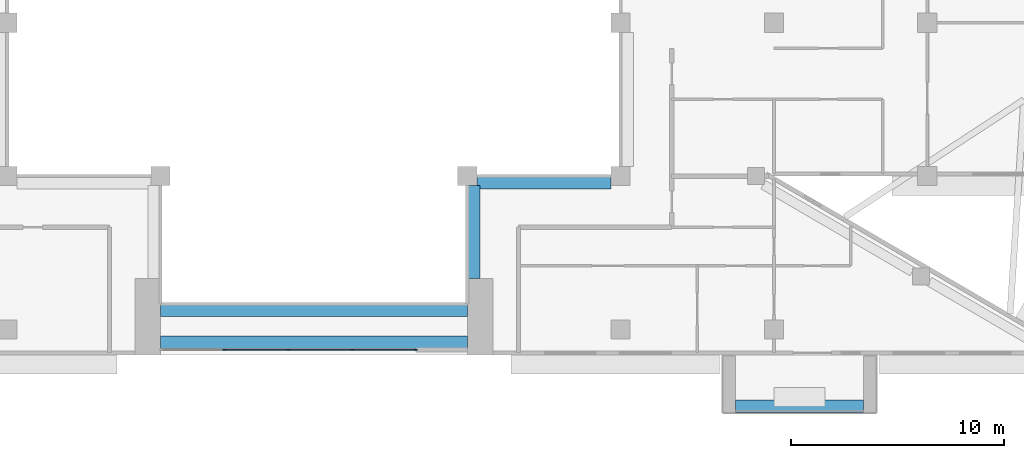
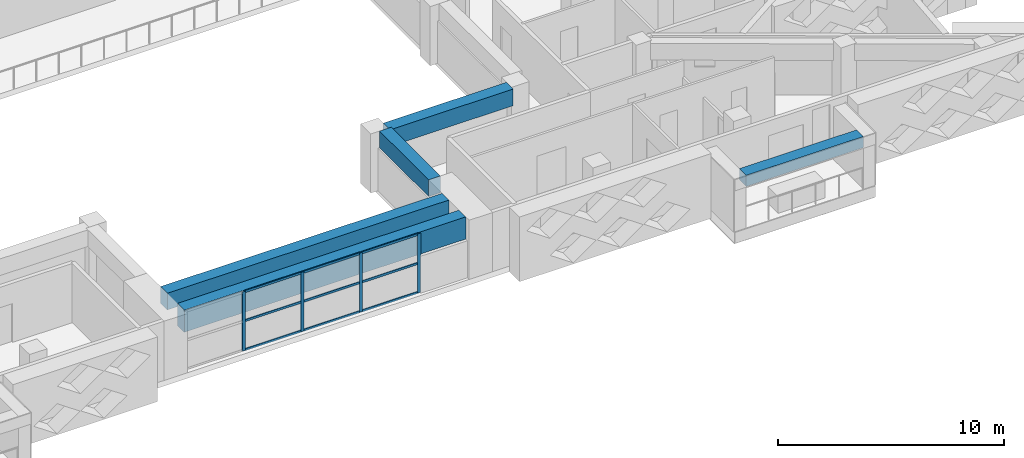
# One storey, part 4 of 20: 13 members, 5 beams, 1 element without a shape of its own.
"""IFC4 building model written with IfcOpenShell, lengths in metres."""

from ifc_helpers import new_model, si_unit, direction, frame, origin, origin_2d, place, context, subcontext, project, spatial, rectangle, extrude, source, transform, mapped, material, layer, layer_set, material_profile, profile_set, type_object, element, aggregate, save


model = new_model("IFC4")

# Units and contexts
model_context = context("Model", 3, precision=1e-05, world=origin(), true_north=direction((0.0, 1.0)))
body_context = subcontext(model_context, "Body", "Model", "MODEL_VIEW")
ifc_project = project(units=[si_unit("LENGTHUNIT", "METRE"), si_unit("AREAUNIT", "SQUARE_METRE"), si_unit("VOLUMEUNIT", "CUBIC_METRE"), si_unit("PLANEANGLEUNIT", "RADIAN"), si_unit("MASSUNIT", "GRAM", prefix="KILO")], contexts=[model_context])

# Site, building, storey
site_placement = place(None, origin())
site = spatial("IfcSite", under=ifc_project, at=site_placement, CompositionType="ELEMENT")
building_placement = place(site_placement, origin())
building = spatial("IfcBuilding", under=site, at=building_placement, Name="Saffron Iwan Residences", CompositionType="ELEMENT")
storey_placement = place(building_placement, frame((0.0, 0.0, 181.5)))
storey = spatial("IfcBuildingStorey", under=building, at=storey_placement, Name="L48", CompositionType="ELEMENT", Elevation=181.5)

# Beams
ifc_material_1 = material(Name="Concrete C50/60", Category="concrete")
ifc_material_profile_1 = material_profile(ifc_material_1, rectangle(XDim=0.60009765625, YDim=1.199951171875, at=origin_2d()), Name="RC 600x1200")
ifc_profile_set_1 = profile_set([ifc_material_profile_1], Name="Concrete C50/60")
beam_type_1 = type_object("IfcBeamType", Name="LINTEL BEAM RC 600x1200 C50/60 TOP 3200", PredefinedType="LINTEL", material=ifc_profile_set_1)
shared_shape_1 = source(origin(), body_context, "Body", "SweptSolid", [
    extrude(rectangle(XDim=0.60009765625, YDim=1.199951171875, at=origin_2d()), origin(), (0.0, 0.0, 1.0), 14.400146484375),
])
beam_1_placement = place(storey_placement, frame((57.60009765625, 40.199951171875, 2.60009765625), z_axis=(-1.0, 0.0, 0.0), x_axis=(0.0, -1.0, 0.0)))
element("IfcBeam", 1, at=beam_1_placement, inside=storey, type_object=beam_type_1, Name="Lintel beam over the iwan", PredefinedType="LINTEL", context=body_context, shape_type="MappedRepresentation", body=[
    mapped(shared_shape_1, transform((0.0, 0.0, 0.0))),
])
ifc_material_profile_2 = material_profile(ifc_material_1, rectangle(XDim=0.60009765625, YDim=0.89990234375, at=origin_2d()), Name="RC 600x900")
ifc_profile_set_2 = profile_set([ifc_material_profile_2], Name="Concrete C50/60")
beam_type_2 = type_object("IfcBeamType", Name="BEAM RC 600x900 C50/60 TOP 3200", PredefinedType="BEAM", material=ifc_profile_set_2)
shared_shape_2 = source(origin(), body_context, "Body", "SweptSolid", [
    extrude(rectangle(XDim=0.60009765625, YDim=0.89990234375, at=origin_2d()), origin(), (0.0, 0.0, 1.0), 14.400146484375),
])
beam_2_placement = place(storey_placement, frame((57.60009765625, 41.699951171875, 2.75), z_axis=(-1.0, 0.0, 0.0), x_axis=(0.0, -1.0, 0.0)))
element("IfcBeam", 2, at=beam_2_placement, inside=storey, type_object=beam_type_2, Name="Atrium edge beam", PredefinedType="BEAM", context=body_context, shape_type="MappedRepresentation", body=[
    mapped(shared_shape_2, transform((0.0, 0.0, 0.0))),
])
shared_shape_3 = source(origin(), body_context, "Body", "SweptSolid", [
    extrude(rectangle(XDim=0.60009765625, YDim=0.89990234375, at=origin_2d()), origin(), (0.0, 0.0, 1.0), 4.35009765625),
])
beam_3_placement = place(storey_placement, frame((57.89990234375, 47.550048828125, 2.75), z_axis=(0.0, -1.0, 0.0), x_axis=(1.0, 0.0, 0.0)))
element("IfcBeam", 3, at=beam_3_placement, inside=storey, type_object=beam_type_2, Name="Atrium edge beam", PredefinedType="BEAM", context=body_context, shape_type="MappedRepresentation", body=[
    mapped(shared_shape_3, transform((0.0, 0.0, 0.0))),
])
shared_shape_4 = source(origin(), body_context, "Body", "SweptSolid", [
    extrude(rectangle(XDim=0.60009765625, YDim=0.89990234375, at=origin_2d()), origin(), (0.0, 0.0, 1.0), 6.300048828125),
])
beam_4_placement = place(storey_placement, frame((64.35009765625, 47.699951171875, 2.75), z_axis=(-1.0, 0.0, 0.0), x_axis=(0.0, -1.0, 0.0)))
element("IfcBeam", 4, at=beam_4_placement, inside=storey, type_object=beam_type_2, Name="Atrium edge beam", PredefinedType="BEAM", context=body_context, shape_type="MappedRepresentation", body=[
    mapped(shared_shape_4, transform((0.0, 0.0, 0.0))),
])

# Curtain wall, members
ifc_material_2 = material(Name="Clear glass, laminated double glazed", Category="glass")
ifc_layer = layer(ifc_material_2, 0.199951171875)
ifc_layer_set = layer_set([ifc_layer], Name="Clear glass, laminated double glazed")
curtain_wall_type = type_object("IfcCurtainWallType", Name="CW-B IWAN PORTAL", PredefinedType="NOTDEFINED", material=ifc_layer_set)
curtain_wall_placement = place(storey_placement, origin())
curtain_wall = element("IfcCurtainWall", 5, at=curtain_wall_placement, inside=storey, type_object=curtain_wall_type, Name="Iwan portal glazing L48.1", PredefinedType="NOTDEFINED")
ifc_material_3 = material(Name="Aluminium 6063-T6", Category="aluminium")
ifc_material_profile_3 = material_profile(ifc_material_3, rectangle(XDim=0.06005859375, YDim=0.1201171875, at=origin_2d()), Name="CW-B TRANSOM 60 x 120")
ifc_profile_set_3 = profile_set([ifc_material_profile_3], Name="Aluminium 6063-T6")
member_type_1 = type_object("IfcMemberType", Name="CW-B TRANSOM 60 x 120", PredefinedType="USERDEFINED", material=ifc_profile_set_3)
shared_shape_5 = source(origin(), body_context, "Body", "SweptSolid", [
    extrude(rectangle(XDim=0.06005859375, YDim=0.1201171875, at=origin_2d()), origin(), (0.0, 0.0, 1.0), 2.909912109375),
])
member_1_placement = place(storey_placement, frame((52.22998046875, 39.85009765625, 0.030029296875), z_axis=(1.0, 0.0, 0.0), x_axis=(0.0, 1.0, 0.0)))
member_1 = element("IfcMember", 6, at=member_1_placement, type_object=member_type_1, Name="CW-B transom 4.1", ObjectType="TRANSOM", PredefinedType="USERDEFINED", context=body_context, shape_type="MappedRepresentation", body=[
    mapped(shared_shape_5, transform((0.0, 0.0, 0.0))),
])
member_2_placement = place(storey_placement, frame((52.22998046875, 39.85009765625, 1.60009765625), z_axis=(1.0, 0.0, 0.0), x_axis=(0.0, 1.0, 0.0)))
member_2 = element("IfcMember", 7, at=member_2_placement, type_object=member_type_1, Name="CW-B transom 4.2", ObjectType="TRANSOM", PredefinedType="USERDEFINED", context=body_context, shape_type="MappedRepresentation", body=[
    mapped(shared_shape_5, transform((0.0, 0.0, 0.0))),
])
member_3_placement = place(storey_placement, frame((52.22998046875, 39.85009765625, 3.169921875), z_axis=(1.0, 0.0, 0.0), x_axis=(0.0, 1.0, 0.0)))
member_3 = element("IfcMember", 8, at=member_3_placement, type_object=member_type_1, Name="CW-B transom 4.3", ObjectType="TRANSOM", PredefinedType="USERDEFINED", context=body_context, shape_type="MappedRepresentation", body=[
    mapped(shared_shape_5, transform((0.0, 0.0, 0.0))),
])
shared_shape_6 = source(origin(), body_context, "Body", "SweptSolid", [
    extrude(rectangle(XDim=0.06005859375, YDim=0.1201171875, at=origin_2d()), origin(), (0.0, 0.0, 1.0), 2.93994140625),
])
member_4_placement = place(storey_placement, frame((46.22998046875, 39.85009765625, 0.030029296875), z_axis=(1.0, 0.0, 0.0), x_axis=(0.0, 1.0, 0.0)))
member_4 = element("IfcMember", 9, at=member_4_placement, type_object=member_type_1, Name="CW-B transom 2.1", ObjectType="TRANSOM", PredefinedType="USERDEFINED", context=body_context, shape_type="MappedRepresentation", body=[
    mapped(shared_shape_6, transform((0.0, 0.0, 0.0))),
])
member_5_placement = place(storey_placement, frame((46.22998046875, 39.85009765625, 1.60009765625), z_axis=(1.0, 0.0, 0.0), x_axis=(0.0, 1.0, 0.0)))
member_5 = element("IfcMember", 10, at=member_5_placement, type_object=member_type_1, Name="CW-B transom 2.2", ObjectType="TRANSOM", PredefinedType="USERDEFINED", context=body_context, shape_type="MappedRepresentation", body=[
    mapped(shared_shape_6, transform((0.0, 0.0, 0.0))),
])
member_6_placement = place(storey_placement, frame((46.22998046875, 39.85009765625, 3.169921875), z_axis=(1.0, 0.0, 0.0), x_axis=(0.0, 1.0, 0.0)))
member_6 = element("IfcMember", 11, at=member_6_placement, type_object=member_type_1, Name="CW-B transom 2.3", ObjectType="TRANSOM", PredefinedType="USERDEFINED", context=body_context, shape_type="MappedRepresentation", body=[
    mapped(shared_shape_6, transform((0.0, 0.0, 0.0))),
])
member_7_placement = place(storey_placement, frame((49.22998046875, 39.85009765625, 0.030029296875), z_axis=(1.0, 0.0, 0.0), x_axis=(0.0, 1.0, 0.0)))
member_7 = element("IfcMember", 12, at=member_7_placement, type_object=member_type_1, Name="CW-B transom 3.1", ObjectType="TRANSOM", PredefinedType="USERDEFINED", context=body_context, shape_type="MappedRepresentation", body=[
    mapped(shared_shape_6, transform((0.0, 0.0, 0.0))),
])
member_8_placement = place(storey_placement, frame((49.22998046875, 39.85009765625, 1.60009765625), z_axis=(1.0, 0.0, 0.0), x_axis=(0.0, 1.0, 0.0)))
member_8 = element("IfcMember", 13, at=member_8_placement, type_object=member_type_1, Name="CW-B transom 3.2", ObjectType="TRANSOM", PredefinedType="USERDEFINED", context=body_context, shape_type="MappedRepresentation", body=[
    mapped(shared_shape_6, transform((0.0, 0.0, 0.0))),
])
member_9_placement = place(storey_placement, frame((49.22998046875, 39.85009765625, 3.169921875), z_axis=(1.0, 0.0, 0.0), x_axis=(0.0, 1.0, 0.0)))
member_9 = element("IfcMember", 14, at=member_9_placement, type_object=member_type_1, Name="CW-B transom 3.3", ObjectType="TRANSOM", PredefinedType="USERDEFINED", context=body_context, shape_type="MappedRepresentation", body=[
    mapped(shared_shape_6, transform((0.0, 0.0, 0.0))),
])

# Beam
ifc_material_4 = material(Name="Concrete C50/60 white painted", Category="concrete")
ifc_material_profile_4 = material_profile(ifc_material_4, rectangle(XDim=0.60009765625, YDim=0.60009765625, at=origin_2d()), Name="BALCONY FASCIA BEAM 600 x 600")
ifc_profile_set_4 = profile_set([ifc_material_profile_4], Name="Concrete C50/60 white painted")
beam_type_3 = type_object("IfcBeamType", Name="BALCONY FASCIA BEAM 600 x 600", PredefinedType="BEAM", material=ifc_profile_set_4)
shared_shape_7 = source(origin(), body_context, "Body", "SweptSolid", [
    extrude(rectangle(XDim=0.60009765625, YDim=0.60009765625, at=origin_2d()), origin(), (0.0, 0.0, 1.0), 6.0),
])
beam_5_placement = place(storey_placement, frame((70.199951171875, 37.199951171875, 2.550048828125), z_axis=(1.0, 0.0, 0.0), x_axis=(0.0, 1.0, 0.0)))
element("IfcBeam", 15, at=beam_5_placement, inside=storey, type_object=beam_type_3, Name="Balcony fascia beam L48 11-1", PredefinedType="BEAM", context=body_context, shape_type="MappedRepresentation", body=[
    mapped(shared_shape_7, transform((0.0, 0.0, 0.0))),
])

# Member
ifc_material_profile_5 = material_profile(ifc_material_3, rectangle(XDim=0.06005859375, YDim=0.159912109375, at=origin_2d()), Name="CW-B MULLION 60 x 160")
ifc_profile_set_5 = profile_set([ifc_material_profile_5], Name="Aluminium 6063-T6")
member_type_2 = type_object("IfcMemberType", Name="CW-B MULLION 60 x 160", PredefinedType="MULLION", material=ifc_profile_set_5)
shared_shape_8 = source(origin(), body_context, "Body", "SweptSolid", [
    extrude(rectangle(XDim=0.06005859375, YDim=0.159912109375, at=origin_2d()), origin(), (0.0, 0.0, 1.0), 3.199951171875),
])
member_10_placement = place(storey_placement, frame((46.199951171875, 39.85009765625, 0.0), z_axis=(0.0, 0.0, 1.0), x_axis=(0.0, 1.0, 0.0)))
member_10 = element("IfcMember", 16, at=member_10_placement, type_object=member_type_2, Name="CW-B mullion 2", PredefinedType="MULLION", context=body_context, shape_type="MappedRepresentation", body=[
    mapped(shared_shape_8, transform((0.0, 0.0, 0.0))),
])

member_11_placement = place(storey_placement, frame((49.199951171875, 39.85009765625, 0.0), z_axis=(0.0, 0.0, 1.0), x_axis=(0.0, 1.0, 0.0)))
member_11 = element("IfcMember", 17, at=member_11_placement, type_object=member_type_2, Name="CW-B mullion 3", PredefinedType="MULLION", context=body_context, shape_type="MappedRepresentation", body=[
    mapped(shared_shape_8, transform((0.0, 0.0, 0.0))),
])

member_12_placement = place(storey_placement, frame((52.199951171875, 39.85009765625, 0.0), z_axis=(0.0, 0.0, 1.0), x_axis=(0.0, 1.0, 0.0)))
member_12 = element("IfcMember", 18, at=member_12_placement, type_object=member_type_2, Name="CW-B mullion 4", PredefinedType="MULLION", context=body_context, shape_type="MappedRepresentation", body=[
    mapped(shared_shape_8, transform((0.0, 0.0, 0.0))),
])

member_13_placement = place(storey_placement, frame((55.169921875, 39.85009765625, 0.0), z_axis=(0.0, 0.0, 1.0), x_axis=(0.0, 1.0, 0.0)))
member_13 = element("IfcMember", 19, at=member_13_placement, type_object=member_type_2, Name="CW-B mullion 5", PredefinedType="MULLION", context=body_context, shape_type="MappedRepresentation", body=[
    mapped(shared_shape_8, transform((0.0, 0.0, 0.0))),
])

aggregate(curtain_wall, [member_10, member_11, member_12, member_13, member_4, member_5, member_6, member_7, member_8, member_9, member_1, member_2, member_3])

save(model, "model.ifc")
